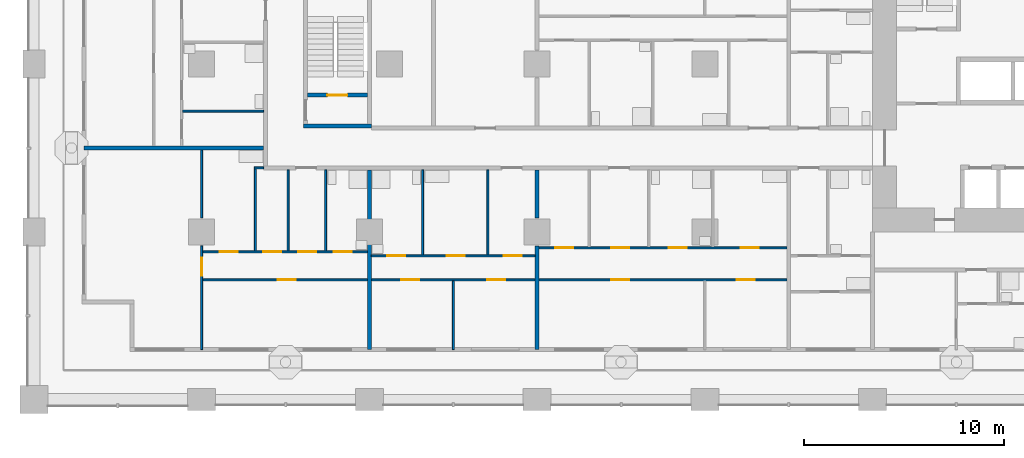
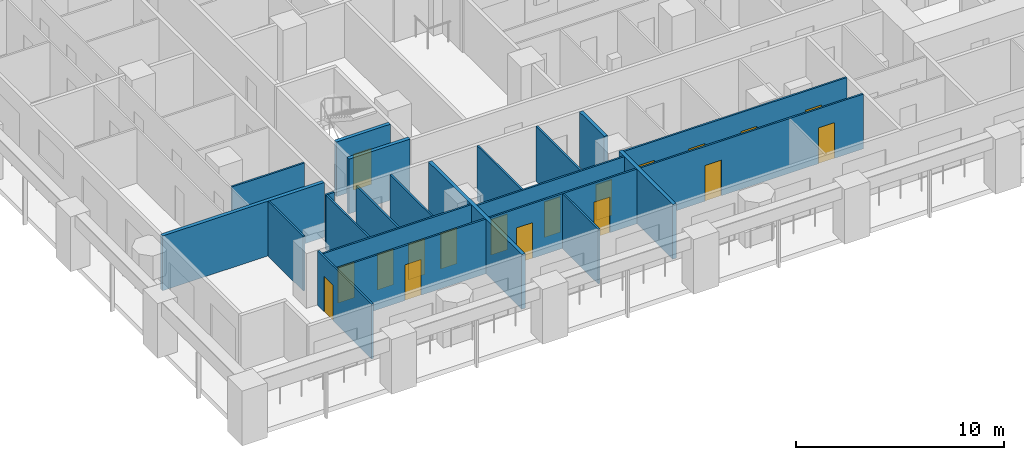
# One storey, part 2 of 22: 20 walls, 18 doors, 18 openings.
"""IFC4 building model written with IfcOpenShell, lengths in metres."""

from ifc_helpers import new_model, si_unit, direction, frame, frame_2d, origin, place, context, subcontext, project, spatial, rectangle, extrude, material, layer, layer_set, type_object, element, fill, save


model = new_model("IFC4")

# Units and contexts
model_context = context("Model", 3, precision=1e-05, world=origin(), true_north=direction((0.0, 1.0)))
body_context = subcontext(model_context, "Body", "Model", "MODEL_VIEW")
ifc_project = project(units=[si_unit("LENGTHUNIT", "METRE"), si_unit("AREAUNIT", "SQUARE_METRE"), si_unit("VOLUMEUNIT", "CUBIC_METRE"), si_unit("PLANEANGLEUNIT", "RADIAN"), si_unit("MASSUNIT", "GRAM", prefix="KILO")], contexts=[model_context])

# Site, building, storey
site_placement = place(None, origin())
site = spatial("IfcSite", under=ifc_project, at=site_placement, CompositionType="ELEMENT")
building_placement = place(site_placement, origin())
building = spatial("IfcBuilding", under=site, at=building_placement, Name="Vermilion Gate Residences", CompositionType="ELEMENT")
storey_placement = place(building_placement, frame((0.0, 0.0, 63.699951171875)))
storey = spatial("IfcBuildingStorey", under=building, at=storey_placement, Name="L15", CompositionType="ELEMENT", Elevation=63.699951171875)

# Wall, openings, doors
ifc_material_1 = material(Name="Plasterboard on steel studs", Category="steel")
ifc_layer_1 = layer(ifc_material_1, 0.10009765625)
ifc_layer_set_1 = layer_set([ifc_layer_1], Name="PARTITION 100")
wall_type_1 = type_object("IfcWallType", Name="PARTITION 100", PredefinedType="PARTITIONING", material=ifc_layer_set_1)
wall_1_placement = place(storey_placement, frame((8.449951171875, 6.0, 0.0), z_axis=(0.0, 0.0, 1.0), x_axis=(1.0, 0.0, 0.0)))
wall_1 = element("IfcWall", 1, at=wall_1_placement, inside=storey, type_object=wall_type_1, Name="Partition", PredefinedType="PARTITIONING", context=body_context, shape_type="SweptSolid", body=[
    extrude(rectangle(XDim=29.25, YDim=0.10009765625, at=frame_2d((14.625, 0.0))), origin(), (0.0, 0.0, 1.0), 3.219970703125),
])
opening_1_placement = place(wall_1_placement, frame((3.75, 0.0, 0.0)))
opening_1 = element("IfcOpeningElement", 2, at=opening_1_placement, cuts=wall_1, Name="Opening DA13006", PredefinedType="OPENING", context=body_context, shape_type="SweptSolid", body=[
    extrude(rectangle(XDim=0.89990234375, YDim=2.10009765625, at=frame_2d((0.449951171875, 1.050048828125))), frame((0.0, 0.06005859375, 0.0), z_axis=(0.0, -1.0, 0.0), x_axis=(1.0, 0.0, 0.0)), (0.0, 0.0, 1.0), 0.1201171875),
])
opening_2_placement = place(wall_1_placement, frame((9.949951171875, 0.0, 0.0)))
opening_2 = element("IfcOpeningElement", 3, at=opening_2_placement, cuts=wall_1, Name="Opening DA13007", PredefinedType="OPENING", context=body_context, shape_type="SweptSolid", body=[
    extrude(rectangle(XDim=0.89990234375, YDim=2.10009765625, at=frame_2d((0.449951171875, 1.050048828125))), frame((0.0, 0.06005859375, 0.0), z_axis=(0.0, -1.0, 0.0), x_axis=(1.0, 0.0, 0.0)), (0.0, 0.0, 1.0), 0.1201171875),
])
opening_3_placement = place(wall_1_placement, frame((14.25, 0.0, 0.0)))
opening_3 = element("IfcOpeningElement", 4, at=opening_3_placement, cuts=wall_1, Name="Opening DA13008", PredefinedType="OPENING", context=body_context, shape_type="SweptSolid", body=[
    extrude(rectangle(XDim=0.89990234375, YDim=2.10009765625, at=frame_2d((0.449951171875, 1.050048828125))), frame((0.0, 0.06005859375, 0.0), z_axis=(0.0, -1.0, 0.0), x_axis=(1.0, 0.0, 0.0)), (0.0, 0.0, 1.0), 0.1201171875),
])
opening_4_placement = place(wall_1_placement, frame((20.449951171875, 0.0, 0.0)))
opening_4 = element("IfcOpeningElement", 5, at=opening_4_placement, cuts=wall_1, Name="Opening DA13009", PredefinedType="OPENING", context=body_context, shape_type="SweptSolid", body=[
    extrude(rectangle(XDim=0.89990234375, YDim=2.10009765625, at=frame_2d((0.449951171875, 1.050048828125))), frame((0.0, 0.06005859375, 0.0), z_axis=(0.0, -1.0, 0.0), x_axis=(1.0, 0.0, 0.0)), (0.0, 0.0, 1.0), 0.1201171875),
])
opening_5_placement = place(wall_1_placement, frame((26.75, 0.0, 0.0)))
opening_5 = element("IfcOpeningElement", 6, at=opening_5_placement, cuts=wall_1, Name="Opening DA13010", PredefinedType="OPENING", context=body_context, shape_type="SweptSolid", body=[
    extrude(rectangle(XDim=0.89990234375, YDim=2.10009765625, at=frame_2d((0.449951171875, 1.050048828125))), frame((0.0, 0.06005859375, 0.0), z_axis=(0.0, -1.0, 0.0), x_axis=(1.0, 0.0, 0.0)), (0.0, 0.0, 1.0), 0.1201171875),
])
ifc_material_2 = material(Name="Timber", Category="wood")
door_type_1 = type_object("IfcDoorType", Name="INTERIOR DOOR 900 X 2100", OperationType="SINGLE_SWING_LEFT", PredefinedType="DOOR", material=ifc_material_2)
door_1_placement = place(opening_1_placement, frame((0.89990234375, 0.0, 0.0), z_axis=(0.0, 0.0, 1.0), x_axis=(-1.0, 0.0, 0.0)))
door_1 = element("IfcDoor", 7, at=door_1_placement, inside=storey, type_object=door_type_1, Name="Interior door", OperationType="SINGLE_SWING_RIGHT", OverallHeight=2.10009765625, OverallWidth=0.89990234375, PredefinedType="DOOR", context=body_context, shape_type="SweptSolid", body=[
    extrude(rectangle(XDim=0.89990234375, YDim=2.10009765625, at=frame_2d((0.449951171875, 1.050048828125))), frame((0.0, 0.02490234375, 0.0), z_axis=(0.0, -1.0, 0.0), x_axis=(1.0, 0.0, 0.0)), (0.0, 0.0, 1.0), 0.050048828125),
])
fill(opening_1, door_1)
door_2_placement = place(opening_2_placement, frame((0.89990234375, 0.0, 0.0), z_axis=(0.0, 0.0, 1.0), x_axis=(-1.0, 0.0, 0.0)))
door_2 = element("IfcDoor", 8, at=door_2_placement, inside=storey, type_object=door_type_1, Name="Interior door", OperationType="SINGLE_SWING_RIGHT", OverallHeight=2.10009765625, OverallWidth=0.89990234375, PredefinedType="DOOR", context=body_context, shape_type="SweptSolid", body=[
    extrude(rectangle(XDim=0.89990234375, YDim=2.10009765625, at=frame_2d((0.449951171875, 1.050048828125))), frame((0.0, 0.02490234375, 0.0), z_axis=(0.0, -1.0, 0.0), x_axis=(1.0, 0.0, 0.0)), (0.0, 0.0, 1.0), 0.050048828125),
])
fill(opening_2, door_2)
door_3_placement = place(opening_3_placement, frame((0.89990234375, 0.0, 0.0), z_axis=(0.0, 0.0, 1.0), x_axis=(-1.0, 0.0, 0.0)))
door_3 = element("IfcDoor", 9, at=door_3_placement, inside=storey, type_object=door_type_1, Name="Interior door", OperationType="SINGLE_SWING_LEFT", OverallHeight=2.10009765625, OverallWidth=0.89990234375, PredefinedType="DOOR", context=body_context, shape_type="SweptSolid", body=[
    extrude(rectangle(XDim=0.89990234375, YDim=2.10009765625, at=frame_2d((0.449951171875, 1.050048828125))), frame((0.0, 0.02490234375, 0.0), z_axis=(0.0, -1.0, 0.0), x_axis=(1.0, 0.0, 0.0)), (0.0, 0.0, 1.0), 0.050048828125),
])
fill(opening_3, door_3)
door_4_placement = place(opening_4_placement, frame((0.89990234375, 0.0, 0.0), z_axis=(0.0, 0.0, 1.0), x_axis=(-1.0, 0.0, 0.0)))
door_4 = element("IfcDoor", 10, at=door_4_placement, inside=storey, type_object=door_type_1, Name="Interior door", OperationType="SINGLE_SWING_RIGHT", OverallHeight=2.10009765625, OverallWidth=0.89990234375, PredefinedType="DOOR", context=body_context, shape_type="SweptSolid", body=[
    extrude(rectangle(XDim=0.89990234375, YDim=2.10009765625, at=frame_2d((0.449951171875, 1.050048828125))), frame((0.0, 0.02490234375, 0.0), z_axis=(0.0, -1.0, 0.0), x_axis=(1.0, 0.0, 0.0)), (0.0, 0.0, 1.0), 0.050048828125),
])
fill(opening_4, door_4)
door_5_placement = place(opening_5_placement, frame((0.89990234375, 0.0, 0.0), z_axis=(0.0, 0.0, 1.0), x_axis=(-1.0, 0.0, 0.0)))
door_5 = element("IfcDoor", 11, at=door_5_placement, inside=storey, type_object=door_type_1, Name="Interior door", OperationType="SINGLE_SWING_RIGHT", OverallHeight=2.10009765625, OverallWidth=0.89990234375, PredefinedType="DOOR", context=body_context, shape_type="SweptSolid", body=[
    extrude(rectangle(XDim=0.89990234375, YDim=2.10009765625, at=frame_2d((0.449951171875, 1.050048828125))), frame((0.0, 0.02490234375, 0.0), z_axis=(0.0, -1.0, 0.0), x_axis=(1.0, 0.0, 0.0)), (0.0, 0.0, 1.0), 0.050048828125),
])
fill(opening_5, door_5)

wall_2_placement = place(storey_placement, frame((16.89990234375, 7.199951171875, 0.0), z_axis=(0.0, 0.0, 1.0), x_axis=(1.0, 0.0, 0.0)))
wall_2 = element("IfcWall", 12, at=wall_2_placement, inside=storey, type_object=wall_type_1, Name="Partition", PredefinedType="PARTITIONING", context=body_context, shape_type="SweptSolid", body=[
    extrude(rectangle(XDim=8.2001953125, YDim=0.10009765625, at=frame_2d((4.10009765625, 0.0))), origin(), (0.0, 0.0, 1.0), 3.219970703125),
])
opening_6_placement = place(wall_2_placement, frame((6.633056640625, 0.0, 0.0)))
opening_6 = element("IfcOpeningElement", 13, at=opening_6_placement, cuts=wall_2, Name="Opening DA13014", PredefinedType="OPENING", context=body_context, shape_type="SweptSolid", body=[
    extrude(rectangle(XDim=0.89990234375, YDim=2.10009765625, at=frame_2d((0.449951171875, 1.050048828125))), frame((0.0, 0.06005859375, 0.0), z_axis=(0.0, -1.0, 0.0), x_axis=(1.0, 0.0, 0.0)), (0.0, 0.0, 1.0), 0.1201171875),
])
opening_7_placement = place(wall_2_placement, frame((0.800048828125, 0.0, 0.0)))
opening_7 = element("IfcOpeningElement", 14, at=opening_7_placement, cuts=wall_2, Name="Opening DA13015", PredefinedType="OPENING", context=body_context, shape_type="SweptSolid", body=[
    extrude(rectangle(XDim=0.89990234375, YDim=2.10009765625, at=frame_2d((0.449951171875, 1.050048828125))), frame((0.0, 0.06005859375, 0.0), z_axis=(0.0, -1.0, 0.0), x_axis=(1.0, 0.0, 0.0)), (0.0, 0.0, 1.0), 0.1201171875),
])
opening_8_placement = place(wall_2_placement, frame((3.76708984375, 0.0, 0.0)))
opening_8 = element("IfcOpeningElement", 15, at=opening_8_placement, cuts=wall_2, Name="Opening DA13016", PredefinedType="OPENING", context=body_context, shape_type="SweptSolid", body=[
    extrude(rectangle(XDim=0.89990234375, YDim=2.10009765625, at=frame_2d((0.449951171875, 1.050048828125))), frame((0.0, 0.06005859375, 0.0), z_axis=(0.0, -1.0, 0.0), x_axis=(1.0, 0.0, 0.0)), (0.0, 0.0, 1.0), 0.1201171875),
])
door_6_placement = place(opening_6_placement, frame((0.89990234375, 0.0, 0.0), z_axis=(0.0, 0.0, 1.0), x_axis=(-1.0, 0.0, 0.0)))
door_6 = element("IfcDoor", 16, at=door_6_placement, inside=storey, type_object=door_type_1, Name="Interior door", OperationType="SINGLE_SWING_LEFT", OverallHeight=2.10009765625, OverallWidth=0.89990234375, PredefinedType="DOOR", context=body_context, shape_type="SweptSolid", body=[
    extrude(rectangle(XDim=0.89990234375, YDim=2.10009765625, at=frame_2d((0.449951171875, 1.050048828125))), frame((0.0, 0.02490234375, 0.0), z_axis=(0.0, -1.0, 0.0), x_axis=(1.0, 0.0, 0.0)), (0.0, 0.0, 1.0), 0.050048828125),
])
fill(opening_6, door_6)
door_7_placement = place(opening_7_placement, origin())
door_7 = element("IfcDoor", 17, at=door_7_placement, inside=storey, type_object=door_type_1, Name="Interior door", OperationType="SINGLE_SWING_LEFT", OverallHeight=2.10009765625, OverallWidth=0.89990234375, PredefinedType="DOOR", context=body_context, shape_type="SweptSolid", body=[
    extrude(rectangle(XDim=0.89990234375, YDim=2.10009765625, at=frame_2d((0.449951171875, 1.050048828125))), frame((0.0, 0.02490234375, 0.0), z_axis=(0.0, -1.0, 0.0), x_axis=(1.0, 0.0, 0.0)), (0.0, 0.0, 1.0), 0.050048828125),
])
fill(opening_7, door_7)
door_8_placement = place(opening_8_placement, origin())
door_8 = element("IfcDoor", 18, at=door_8_placement, inside=storey, type_object=door_type_1, Name="Interior door", OperationType="SINGLE_SWING_RIGHT", OverallHeight=2.10009765625, OverallWidth=0.89990234375, PredefinedType="DOOR", context=body_context, shape_type="SweptSolid", body=[
    extrude(rectangle(XDim=0.89990234375, YDim=2.10009765625, at=frame_2d((0.449951171875, 1.050048828125))), frame((0.0, 0.02490234375, 0.0), z_axis=(0.0, -1.0, 0.0), x_axis=(1.0, 0.0, 0.0)), (0.0, 0.0, 1.0), 0.050048828125),
])
fill(opening_8, door_8)

wall_3_placement = place(storey_placement, frame((8.449951171875, 7.39990234375, 0.0), z_axis=(0.0, 0.0, 1.0), x_axis=(1.0, 0.0, 0.0)))
wall_3 = element("IfcWall", 19, at=wall_3_placement, inside=storey, type_object=wall_type_1, Name="Partition", PredefinedType="PARTITIONING", context=body_context, shape_type="SweptSolid", body=[
    extrude(rectangle(XDim=8.25, YDim=0.10009765625, at=frame_2d((4.125, 0.0))), origin(), (0.0, 0.0, 1.0), 3.219970703125),
])
opening_9_placement = place(wall_3_placement, frame((4.77587890625, 0.0, 0.0)))
opening_9 = element("IfcOpeningElement", 20, at=opening_9_placement, cuts=wall_3, Name="Opening DA13019", PredefinedType="OPENING", context=body_context, shape_type="SweptSolid", body=[
    extrude(rectangle(XDim=0.89990234375, YDim=2.10009765625, at=frame_2d((0.449951171875, 1.050048828125))), frame((0.0, 0.06005859375, 0.0), z_axis=(0.0, -1.0, 0.0), x_axis=(1.0, 0.0, 0.0)), (0.0, 0.0, 1.0), 0.1201171875),
])
opening_10_placement = place(wall_3_placement, frame((0.85009765625, 0.0, 0.0)))
opening_10 = element("IfcOpeningElement", 21, at=opening_10_placement, cuts=wall_3, Name="Opening DA13020", PredefinedType="OPENING", context=body_context, shape_type="SweptSolid", body=[
    extrude(rectangle(XDim=0.89990234375, YDim=2.10009765625, at=frame_2d((0.449951171875, 1.050048828125))), frame((0.0, 0.06005859375, 0.0), z_axis=(0.0, -1.0, 0.0), x_axis=(1.0, 0.0, 0.0)), (0.0, 0.0, 1.0), 0.1201171875),
])
opening_11_placement = place(wall_3_placement, frame((3.033935546875, 0.0, 0.0)))
opening_11 = element("IfcOpeningElement", 22, at=opening_11_placement, cuts=wall_3, Name="Opening DA13021", PredefinedType="OPENING", context=body_context, shape_type="SweptSolid", body=[
    extrude(rectangle(XDim=0.89990234375, YDim=2.10009765625, at=frame_2d((0.449951171875, 1.050048828125))), frame((0.0, 0.06005859375, 0.0), z_axis=(0.0, -1.0, 0.0), x_axis=(1.0, 0.0, 0.0)), (0.0, 0.0, 1.0), 0.1201171875),
])
opening_12_placement = place(wall_3_placement, frame((6.56103515625, 0.0, 0.0)))
opening_12 = element("IfcOpeningElement", 23, at=opening_12_placement, cuts=wall_3, Name="Opening DA13022", PredefinedType="OPENING", context=body_context, shape_type="SweptSolid", body=[
    extrude(rectangle(XDim=0.89990234375, YDim=2.10009765625, at=frame_2d((0.449951171875, 1.050048828125))), frame((0.0, 0.06005859375, 0.0), z_axis=(0.0, -1.0, 0.0), x_axis=(1.0, 0.0, 0.0)), (0.0, 0.0, 1.0), 0.1201171875),
])
door_9_placement = place(opening_9_placement, origin())
door_9 = element("IfcDoor", 24, at=door_9_placement, inside=storey, type_object=door_type_1, Name="Interior door", OperationType="SINGLE_SWING_RIGHT", OverallHeight=2.10009765625, OverallWidth=0.89990234375, PredefinedType="DOOR", context=body_context, shape_type="SweptSolid", body=[
    extrude(rectangle(XDim=0.89990234375, YDim=2.10009765625, at=frame_2d((0.449951171875, 1.050048828125))), frame((0.0, 0.02490234375, 0.0), z_axis=(0.0, -1.0, 0.0), x_axis=(1.0, 0.0, 0.0)), (0.0, 0.0, 1.0), 0.050048828125),
])
fill(opening_9, door_9)
door_10_placement = place(opening_10_placement, origin())
door_10 = element("IfcDoor", 25, at=door_10_placement, inside=storey, type_object=door_type_1, Name="Interior door", OperationType="SINGLE_SWING_RIGHT", OverallHeight=2.10009765625, OverallWidth=0.89990234375, PredefinedType="DOOR", context=body_context, shape_type="SweptSolid", body=[
    extrude(rectangle(XDim=0.89990234375, YDim=2.10009765625, at=frame_2d((0.449951171875, 1.050048828125))), frame((0.0, 0.02490234375, 0.0), z_axis=(0.0, -1.0, 0.0), x_axis=(1.0, 0.0, 0.0)), (0.0, 0.0, 1.0), 0.050048828125),
])
fill(opening_10, door_10)
door_11_placement = place(opening_11_placement, origin())
door_11 = element("IfcDoor", 26, at=door_11_placement, inside=storey, type_object=door_type_1, Name="Interior door", OperationType="SINGLE_SWING_RIGHT", OverallHeight=2.10009765625, OverallWidth=0.89990234375, PredefinedType="DOOR", context=body_context, shape_type="SweptSolid", body=[
    extrude(rectangle(XDim=0.89990234375, YDim=2.10009765625, at=frame_2d((0.449951171875, 1.050048828125))), frame((0.0, 0.02490234375, 0.0), z_axis=(0.0, -1.0, 0.0), x_axis=(1.0, 0.0, 0.0)), (0.0, 0.0, 1.0), 0.050048828125),
])
fill(opening_11, door_11)
door_12_placement = place(opening_12_placement, origin())
door_12 = element("IfcDoor", 27, at=door_12_placement, inside=storey, type_object=door_type_1, Name="Interior door", OperationType="SINGLE_SWING_RIGHT", OverallHeight=2.10009765625, OverallWidth=0.89990234375, PredefinedType="DOOR", context=body_context, shape_type="SweptSolid", body=[
    extrude(rectangle(XDim=0.89990234375, YDim=2.10009765625, at=frame_2d((0.449951171875, 1.050048828125))), frame((0.0, 0.02490234375, 0.0), z_axis=(0.0, -1.0, 0.0), x_axis=(1.0, 0.0, 0.0)), (0.0, 0.0, 1.0), 0.050048828125),
])
fill(opening_12, door_12)

wall_4_placement = place(storey_placement, frame((25.300048828125, 7.60009765625, 0.0), z_axis=(0.0, 0.0, 1.0), x_axis=(1.0, 0.0, 0.0)))
wall_4 = element("IfcWall", 28, at=wall_4_placement, inside=storey, type_object=wall_type_1, Name="Partition", PredefinedType="PARTITIONING", context=body_context, shape_type="SweptSolid", body=[
    extrude(rectangle(XDim=12.39990234375, YDim=0.10009765625, at=frame_2d((6.199951171875, 0.0))), origin(), (0.0, 0.0, 1.0), 3.219970703125),
])
opening_13_placement = place(wall_4_placement, frame((3.60009765625, 0.0, 0.0)))
opening_13 = element("IfcOpeningElement", 29, at=opening_13_placement, cuts=wall_4, Name="Opening DA13023", PredefinedType="OPENING", context=body_context, shape_type="SweptSolid", body=[
    extrude(rectangle(XDim=0.89990234375, YDim=2.10009765625, at=frame_2d((0.449951171875, 1.050048828125))), frame((0.0, 0.06005859375, 0.0), z_axis=(0.0, -1.0, 0.0), x_axis=(1.0, 0.0, 0.0)), (0.0, 0.0, 1.0), 0.1201171875),
])
opening_14_placement = place(wall_4_placement, frame((0.800048828125, 0.0, 0.0)))
opening_14 = element("IfcOpeningElement", 30, at=opening_14_placement, cuts=wall_4, Name="Opening DA13024", PredefinedType="OPENING", context=body_context, shape_type="SweptSolid", body=[
    extrude(rectangle(XDim=0.89990234375, YDim=2.10009765625, at=frame_2d((0.449951171875, 1.050048828125))), frame((0.0, 0.06005859375, 0.0), z_axis=(0.0, -1.0, 0.0), x_axis=(1.0, 0.0, 0.0)), (0.0, 0.0, 1.0), 0.1201171875),
])
opening_15_placement = place(wall_4_placement, frame((6.5, 0.0, 0.0)))
opening_15 = element("IfcOpeningElement", 31, at=opening_15_placement, cuts=wall_4, Name="Opening DA13025", PredefinedType="OPENING", context=body_context, shape_type="SweptSolid", body=[
    extrude(rectangle(XDim=0.89990234375, YDim=2.10009765625, at=frame_2d((0.449951171875, 1.050048828125))), frame((0.0, 0.06005859375, 0.0), z_axis=(0.0, -1.0, 0.0), x_axis=(1.0, 0.0, 0.0)), (0.0, 0.0, 1.0), 0.1201171875),
])
opening_16_placement = place(wall_4_placement, frame((10.10009765625, 0.0, 0.0)))
opening_16 = element("IfcOpeningElement", 32, at=opening_16_placement, cuts=wall_4, Name="Opening DA13026", PredefinedType="OPENING", context=body_context, shape_type="SweptSolid", body=[
    extrude(rectangle(XDim=0.89990234375, YDim=2.10009765625, at=frame_2d((0.449951171875, 1.050048828125))), frame((0.0, 0.06005859375, 0.0), z_axis=(0.0, -1.0, 0.0), x_axis=(1.0, 0.0, 0.0)), (0.0, 0.0, 1.0), 0.1201171875),
])
door_13_placement = place(opening_13_placement, origin())
door_13 = element("IfcDoor", 33, at=door_13_placement, inside=storey, type_object=door_type_1, Name="Interior door", OperationType="SINGLE_SWING_RIGHT", OverallHeight=2.10009765625, OverallWidth=0.89990234375, PredefinedType="DOOR", context=body_context, shape_type="SweptSolid", body=[
    extrude(rectangle(XDim=0.89990234375, YDim=2.10009765625, at=frame_2d((0.449951171875, 1.050048828125))), frame((0.0, 0.02490234375, 0.0), z_axis=(0.0, -1.0, 0.0), x_axis=(1.0, 0.0, 0.0)), (0.0, 0.0, 1.0), 0.050048828125),
])
fill(opening_13, door_13)
door_14_placement = place(opening_14_placement, origin())
door_14 = element("IfcDoor", 34, at=door_14_placement, inside=storey, type_object=door_type_1, Name="Interior door", OperationType="SINGLE_SWING_LEFT", OverallHeight=2.10009765625, OverallWidth=0.89990234375, PredefinedType="DOOR", context=body_context, shape_type="SweptSolid", body=[
    extrude(rectangle(XDim=0.89990234375, YDim=2.10009765625, at=frame_2d((0.449951171875, 1.050048828125))), frame((0.0, 0.02490234375, 0.0), z_axis=(0.0, -1.0, 0.0), x_axis=(1.0, 0.0, 0.0)), (0.0, 0.0, 1.0), 0.050048828125),
])
fill(opening_14, door_14)
door_15_placement = place(opening_15_placement, origin())
door_15 = element("IfcDoor", 35, at=door_15_placement, inside=storey, type_object=door_type_1, Name="Interior door", OperationType="SINGLE_SWING_RIGHT", OverallHeight=2.10009765625, OverallWidth=0.89990234375, PredefinedType="DOOR", context=body_context, shape_type="SweptSolid", body=[
    extrude(rectangle(XDim=0.89990234375, YDim=2.10009765625, at=frame_2d((0.449951171875, 1.050048828125))), frame((0.0, 0.02490234375, 0.0), z_axis=(0.0, -1.0, 0.0), x_axis=(1.0, 0.0, 0.0)), (0.0, 0.0, 1.0), 0.050048828125),
])
fill(opening_15, door_15)
door_16_placement = place(opening_16_placement, origin())
door_16 = element("IfcDoor", 36, at=door_16_placement, inside=storey, type_object=door_type_1, Name="Interior door", OperationType="SINGLE_SWING_LEFT", OverallHeight=2.10009765625, OverallWidth=0.89990234375, PredefinedType="DOOR", context=body_context, shape_type="SweptSolid", body=[
    extrude(rectangle(XDim=0.89990234375, YDim=2.10009765625, at=frame_2d((0.449951171875, 1.050048828125))), frame((0.0, 0.02490234375, 0.0), z_axis=(0.0, -1.0, 0.0), x_axis=(1.0, 0.0, 0.0)), (0.0, 0.0, 1.0), 0.050048828125),
])
fill(opening_16, door_16)

# Walls
wall_5_placement = place(storey_placement, frame((11.033935546875, 11.60009765625, 0.0), z_axis=(0.0, 0.0, 1.0), x_axis=(1.0, 0.0, 0.0)))
element("IfcWall", 37, at=wall_5_placement, inside=storey, type_object=wall_type_1, Name="Partition", PredefinedType="PARTITIONING", context=body_context, shape_type="SweptSolid", body=[
    extrude(rectangle(XDim=0.466064453125, YDim=0.10009765625, at=frame_2d((0.23291015625, 0.0))), origin(), (0.0, 0.0, 1.0), 3.219970703125),
])
wall_6_placement = place(storey_placement, frame((7.449951171875, 14.449951171875, 0.0), z_axis=(0.0, 0.0, 1.0), x_axis=(1.0, 0.0, 0.0)))
element("IfcWall", 38, at=wall_6_placement, inside=storey, type_object=wall_type_1, Name="Partition", PredefinedType="PARTITIONING", context=body_context, shape_type="SweptSolid", body=[
    extrude(rectangle(XDim=4.050048828125, YDim=0.10009765625, at=frame_2d((2.02490234375, 0.0))), origin(), (0.0, 0.0, 1.0), 3.219970703125),
])

# Wall, opening, door
wall_7_placement = place(storey_placement, frame((8.39990234375, 2.5, 0.0), z_axis=(0.0, 0.0, 1.0), x_axis=(0.0, 1.0, 0.0)))
wall_7 = element("IfcWall", 39, at=wall_7_placement, inside=storey, type_object=wall_type_1, Name="Partition", PredefinedType="PARTITIONING", context=body_context, shape_type="SweptSolid", body=[
    extrude(rectangle(XDim=5.199951171875, YDim=0.10009765625, at=frame_2d((2.60009765625, 0.0))), origin(), (0.0, 0.0, 1.0), 3.219970703125),
])
opening_17_placement = place(wall_7_placement, frame((3.699951171875, 0.0, 0.0)))
opening_17 = element("IfcOpeningElement", 40, at=opening_17_placement, cuts=wall_7, Name="Opening DA13065", PredefinedType="OPENING", context=body_context, shape_type="SweptSolid", body=[
    extrude(rectangle(XDim=0.89990234375, YDim=2.10009765625, at=frame_2d((0.449951171875, 1.050048828125))), frame((0.0, 0.06005859375, 0.0), z_axis=(0.0, -1.0, 0.0), x_axis=(1.0, 0.0, 0.0)), (0.0, 0.0, 1.0), 0.1201171875),
])
door_17_placement = place(opening_17_placement, origin())
door_17 = element("IfcDoor", 41, at=door_17_placement, inside=storey, type_object=door_type_1, Name="Interior door", OperationType="SINGLE_SWING_RIGHT", OverallHeight=2.10009765625, OverallWidth=0.89990234375, PredefinedType="DOOR", context=body_context, shape_type="SweptSolid", body=[
    extrude(rectangle(XDim=0.89990234375, YDim=2.10009765625, at=frame_2d((0.449951171875, 1.050048828125))), frame((0.0, 0.02490234375, 0.0), z_axis=(0.0, -1.0, 0.0), x_axis=(1.0, 0.0, 0.0)), (0.0, 0.0, 1.0), 0.050048828125),
])
fill(opening_17, door_17)

# Walls
wall_8_placement = place(storey_placement, frame((8.39990234375, 9.10009765625, 0.0), z_axis=(0.0, 0.0, 1.0), x_axis=(0.0, 1.0, 0.0)))
element("IfcWall", 42, at=wall_8_placement, inside=storey, type_object=wall_type_1, Name="Partition", PredefinedType="PARTITIONING", context=body_context, shape_type="SweptSolid", body=[
    extrude(rectangle(XDim=3.39990234375, YDim=0.10009765625, at=frame_2d((1.699951171875, 0.0))), origin(), (0.0, 0.0, 1.0), 3.219970703125),
])
wall_9_placement = place(storey_placement, frame((11.083984375, 7.449951171875, 0.0), z_axis=(0.0, 0.0, 1.0), x_axis=(0.0, 1.0, 0.0)))
element("IfcWall", 43, at=wall_9_placement, inside=storey, type_object=wall_type_1, Name="Partition", PredefinedType="PARTITIONING", context=body_context, shape_type="SweptSolid", body=[
    extrude(rectangle(XDim=4.10009765625, YDim=0.10009765625, at=frame_2d((2.050048828125, 0.0))), origin(), (0.0, 0.0, 1.0), 3.219970703125),
])
for number, where, z_axis, x_axis, name in (
    (44, (12.72607421875, 7.449951171875, 0.0), (0.0, 0.0, 1.0), (0.0, 1.0, 0.0), "Partition"),
    (45, (14.611083984375, 7.449951171875, 0.0), (0.0, 0.0, 1.0), (0.0, 1.0, 0.0), "Partition"),
):
    element("IfcWall", number, at=place(storey_placement, frame(where, z_axis=z_axis, x_axis=x_axis)), inside=storey, type_object=wall_type_1, Name=name, PredefinedType="PARTITIONING", context=body_context, shape_type="SweptSolid", body=[
        extrude(rectangle(XDim=4.050048828125, YDim=0.10009765625, at=frame_2d((2.02490234375, 0.0))), origin(), (0.0, 0.0, 1.0), 3.219970703125),
    ])
wall_10_placement = place(storey_placement, frame((19.467041015625, 7.25, 0.0), z_axis=(0.0, 0.0, 1.0), x_axis=(0.0, 1.0, 0.0)))
element("IfcWall", 46, at=wall_10_placement, inside=storey, type_object=wall_type_1, Name="Partition", PredefinedType="PARTITIONING", context=body_context, shape_type="SweptSolid", body=[
    extrude(rectangle(XDim=4.25, YDim=0.10009765625, at=frame_2d((2.125, 0.0))), origin(), (0.0, 0.0, 1.0), 3.219970703125),
])
wall_11_placement = place(storey_placement, frame((21.0, 2.5, 0.0), z_axis=(0.0, 0.0, 1.0), x_axis=(0.0, 1.0, 0.0)))
element("IfcWall", 47, at=wall_11_placement, inside=storey, type_object=wall_type_1, Name="Partition", PredefinedType="PARTITIONING", context=body_context, shape_type="SweptSolid", body=[
    extrude(rectangle(XDim=3.449951171875, YDim=0.10009765625, at=frame_2d((1.72509765625, 0.0))), origin(), (0.0, 0.0, 1.0), 3.219970703125),
])
wall_12_placement = place(storey_placement, frame((22.73291015625, 7.25, 0.0), z_axis=(0.0, 0.0, 1.0), x_axis=(0.0, 1.0, 0.0)))
element("IfcWall", 48, at=wall_12_placement, inside=storey, type_object=wall_type_1, Name="Partition", PredefinedType="PARTITIONING", context=body_context, shape_type="SweptSolid", body=[
    extrude(rectangle(XDim=4.25, YDim=0.10009765625, at=frame_2d((2.125, 0.0))), origin(), (0.0, 0.0, 1.0), 3.219970703125),
])
ifc_material_3 = material(Name="Fire-rated plasterboard on steel studs", Category="steel")
ifc_layer_2 = layer(ifc_material_3, 0.199951171875)
ifc_layer_set_2 = layer_set([ifc_layer_2], Name="PARTY WALL 200 EI 120")
wall_type_2 = type_object("IfcWallType", Name="PARTY WALL 200 EI 120", PredefinedType="PARTITIONING", material=ifc_layer_set_2)
for number, where, z_axis, x_axis, name in (
    (49, (2.5, 12.60009765625, 0.0), (0.0, 0.0, 1.0), (1.0, 0.0, 0.0), "Party and corridor wall"),
    (50, (16.800048828125, 2.5, 0.0), (0.0, 0.0, 1.0), (0.0, 1.0, 0.0), "Party and corridor wall"),
):
    element("IfcWall", number, at=place(storey_placement, frame(where, z_axis=z_axis, x_axis=x_axis)), inside=storey, type_object=wall_type_2, Name=name, PredefinedType="PARTITIONING", context=body_context, shape_type="SweptSolid", body=[
        extrude(rectangle(XDim=9.0, YDim=0.199951171875, at=frame_2d((4.5, 0.0))), origin(), (0.0, 0.0, 1.0), 3.219970703125),
    ])
wall_13_placement = place(storey_placement, frame((25.199951171875, 2.5, 0.0), z_axis=(0.0, 0.0, 1.0), x_axis=(0.0, 1.0, 0.0)))
element("IfcWall", 51, at=wall_13_placement, inside=storey, type_object=wall_type_2, Name="Party and corridor wall", PredefinedType="PARTITIONING", context=body_context, shape_type="SweptSolid", body=[
    extrude(rectangle(XDim=5.199951171875, YDim=0.199951171875, at=frame_2d((2.60009765625, 0.0))), origin(), (0.0, 0.0, 1.0), 3.219970703125),
])
wall_14_placement = place(storey_placement, frame((25.199951171875, 9.10009765625, 0.0), z_axis=(0.0, 0.0, 1.0), x_axis=(0.0, 1.0, 0.0)))
element("IfcWall", 52, at=wall_14_placement, inside=storey, type_object=wall_type_2, Name="Party and corridor wall", PredefinedType="PARTITIONING", context=body_context, shape_type="SweptSolid", body=[
    extrude(rectangle(XDim=2.39990234375, YDim=0.199951171875, at=frame_2d((1.199951171875, 0.0))), origin(), (0.0, 0.0, 1.0), 3.219970703125),
])
ifc_material_4 = material(Name="Concrete C60", Category="concrete")
ifc_layer_3 = layer(ifc_material_4, 0.199951171875)
ifc_layer_set_3 = layer_set([ifc_layer_3], Name="RC CORE INTERNAL WALL 200 C60")
wall_type_3 = type_object("IfcWallType", Name="RC CORE INTERNAL WALL 200 C60", PredefinedType="SHEAR", material=ifc_layer_set_3)
wall_15_placement = place(storey_placement, frame((13.5, 13.699951171875, 0.0), z_axis=(0.0, 0.0, 1.0), x_axis=(1.0, 0.0, 0.0)))
element("IfcWall", 53, at=wall_15_placement, inside=storey, type_object=wall_type_3, Name="Core internal wall C15-S", PredefinedType="SHEAR", context=body_context, shape_type="SweptSolid", body=[
    extrude(rectangle(XDim=3.39990234375, YDim=0.199951171875, at=frame_2d((1.699951171875, 0.0))), origin(), (0.0, 0.0, 1.0), 3.219970703125),
])

# Wall, opening, door
wall_16_placement = place(storey_placement, frame((13.699951171875, 15.25, 0.0), z_axis=(0.0, 0.0, 1.0), x_axis=(1.0, 0.0, 0.0)))
wall_16 = element("IfcWall", 54, at=wall_16_placement, inside=storey, type_object=wall_type_3, Name="Core internal wall C15-P", PredefinedType="SHEAR", context=body_context, shape_type="SweptSolid", body=[
    extrude(rectangle(XDim=3.0, YDim=0.199951171875, at=frame_2d((1.5, 0.0))), origin(), (0.0, 0.0, 1.0), 3.219970703125),
])
opening_18_placement = place(wall_16_placement, frame((1.0, 0.0, 0.0)))
opening_18 = element("IfcOpeningElement", 55, at=opening_18_placement, cuts=wall_16, Name="Opening DK15202", PredefinedType="OPENING", context=body_context, shape_type="SweptSolid", body=[
    extrude(rectangle(XDim=1.0, YDim=2.10009765625, at=frame_2d((0.5, 1.050048828125))), frame((0.0, 0.10986328125, 0.0), z_axis=(0.0, -1.0, 0.0), x_axis=(1.0, 0.0, 0.0)), (0.0, 0.0, 1.0), 0.219970703125),
])
ifc_material_5 = material(Name="Steel", Category="steel")
door_type_2 = type_object("IfcDoorType", Name="FIRE DOOR FD60 1000 X 2100", OperationType="SINGLE_SWING_LEFT", PredefinedType="DOOR", material=ifc_material_5)
door_18_placement = place(opening_18_placement, origin())
door_18 = element("IfcDoor", 56, at=door_18_placement, inside=storey, type_object=door_type_2, Name="Stair door C15", OperationType="SINGLE_SWING_LEFT", OverallHeight=2.10009765625, OverallWidth=1.0, PredefinedType="DOOR", context=body_context, shape_type="SweptSolid", body=[
    extrude(rectangle(XDim=1.0, YDim=2.10009765625, at=frame_2d((0.5, 1.050048828125))), frame((0.0, 0.02490234375, 0.0), z_axis=(0.0, -1.0, 0.0), x_axis=(1.0, 0.0, 0.0)), (0.0, 0.0, 1.0), 0.050048828125),
])
fill(opening_18, door_18)

save(model, "model.ifc")
